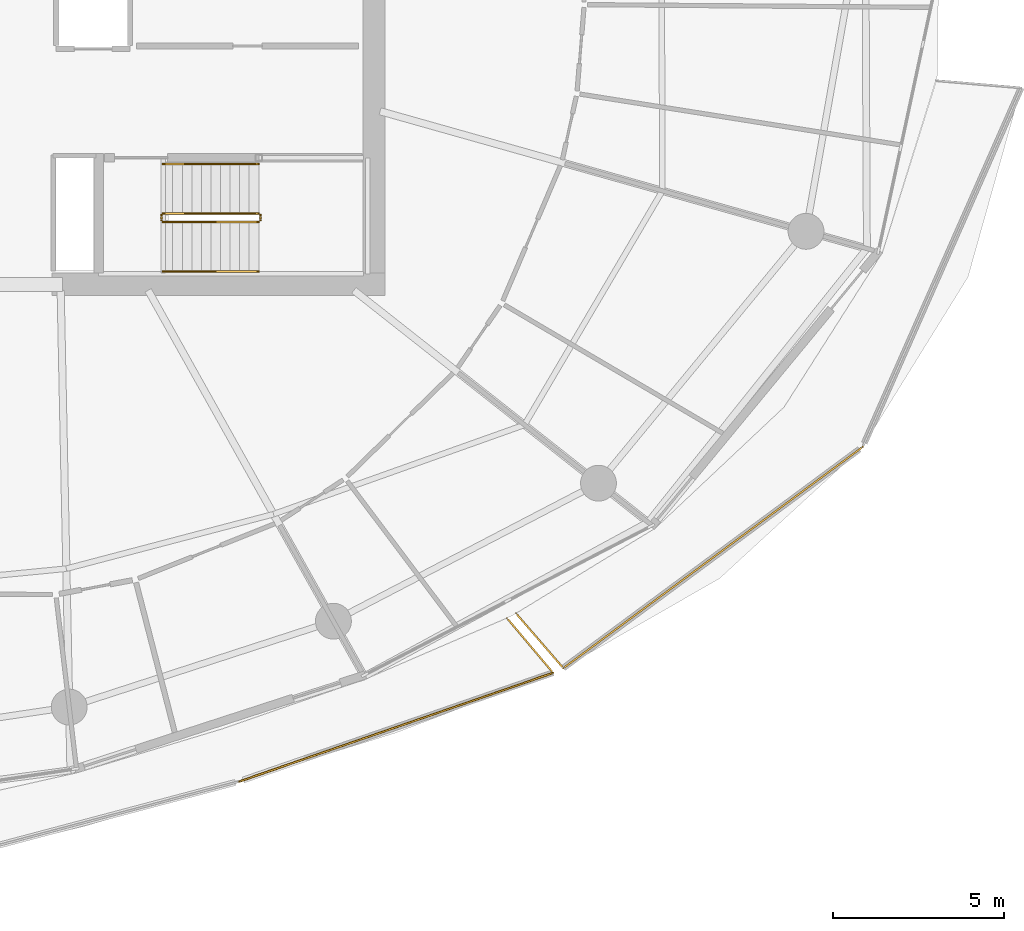
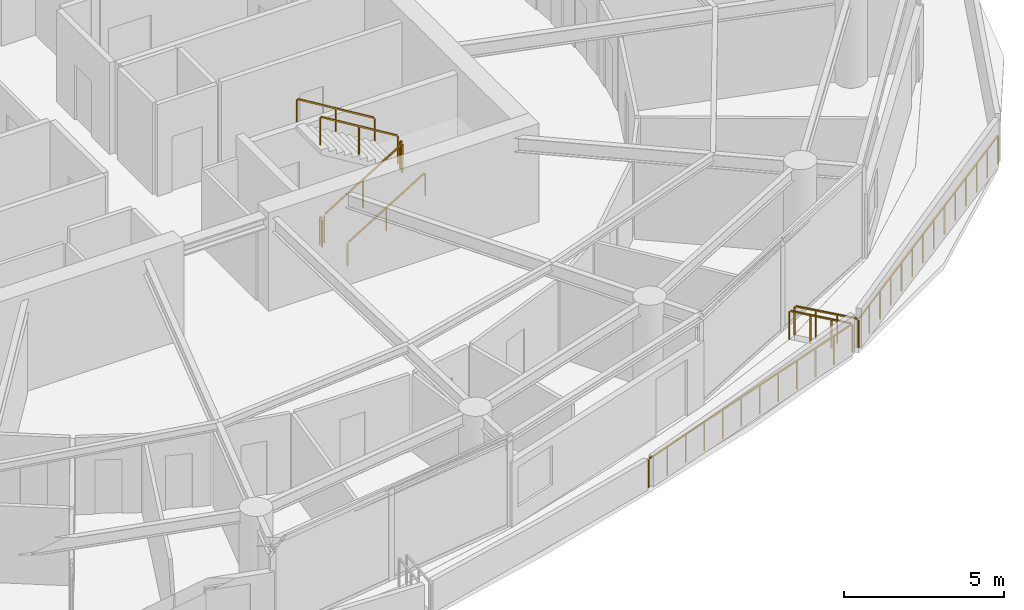
# One storey, part 19 of 21: 10 railings.
"""IFC4 building model written with IfcOpenShell, lengths in metres."""

from ifc_helpers import new_model, si_unit, direction, frame, origin, origin_2d, place, context, subcontext, project, spatial, rectangle, extrude, material, type_object, element, save


model = new_model("IFC4")

# Units and contexts
model_context = context("Model", 3, precision=1e-05, world=origin(), true_north=direction((0.0, 1.0)))
body_context = subcontext(model_context, "Body", "Model", "MODEL_VIEW")
ifc_project = project(units=[si_unit("LENGTHUNIT", "METRE"), si_unit("AREAUNIT", "SQUARE_METRE"), si_unit("VOLUMEUNIT", "CUBIC_METRE"), si_unit("PLANEANGLEUNIT", "RADIAN"), si_unit("MASSUNIT", "GRAM", prefix="KILO")], contexts=[model_context])

# Site, building, storey
site_placement = place(None, origin())
site = spatial("IfcSite", under=ifc_project, at=site_placement, CompositionType="ELEMENT")
building_placement = place(site_placement, origin())
building = spatial("IfcBuilding", under=site, at=building_placement, Name="Kazma Halo Residences", CompositionType="ELEMENT")
storey_placement = place(building_placement, frame((0.0, 0.0, 184.050048828125)))
storey = spatial("IfcBuildingStorey", under=building, at=storey_placement, Name="L46", CompositionType="ELEMENT", Elevation=184.050048828125)

# Railings
ifc_material_1 = material(Name="Aluminium AW-6063 T6 Brushed Cap Rail", Category="aluminium")
railing_type_1 = type_object("IfcRailingType", Name="RLG-BAL-CAP-1120", PredefinedType="BALUSTRADE", material=ifc_material_1)
railing_1_placement = place(storey_placement, frame((55.43310546875, 19.123046875, 0.0)))
element("IfcRailing", 1, at=railing_1_placement, inside=storey, type_object=railing_type_1, Name="L46 SSE wave balcony guard 3", PredefinedType="BALUSTRADE", context=body_context, shape_type="SweptSolid", body=[
    extrude(rectangle(XDim=0.050048828125, YDim=0.050048828125, at=origin_2d()), frame((0.040283203125, 0.013916015625, 1.09521484375), z_axis=(0.944943650986, 0.327233091941, 0.0), x_axis=(-0.327233091941, 0.944943650986, 0.0)), (0.0, 0.0, 1.0), 9.632568359375),
    extrude(rectangle(XDim=0.0400390625, YDim=0.0400390625, at=origin_2d()), origin(), (0.0, 0.0, 1.0), 1.05810546875),
    extrude(rectangle(XDim=0.0400390625, YDim=0.0400390625, at=origin_2d()), frame((0.834716796875, 0.2890625, 0.0)), (0.0, 0.0, 1.0), 1.05810546875),
    extrude(rectangle(XDim=0.0400390625, YDim=0.0400390625, at=origin_2d()), frame((1.669677734375, 0.578125, 0.0)), (0.0, 0.0, 1.0), 1.05810546875),
    extrude(rectangle(XDim=0.0400390625, YDim=0.0400390625, at=origin_2d()), frame((2.50439453125, 0.8671875, 0.0)), (0.0, 0.0, 1.0), 1.05810546875),
    extrude(rectangle(XDim=0.0400390625, YDim=0.0400390625, at=origin_2d()), frame((3.339111328125, 1.15625, 0.0)), (0.0, 0.0, 1.0), 1.05810546875),
    extrude(rectangle(XDim=0.0400390625, YDim=0.0400390625, at=origin_2d()), frame((4.173828125, 1.4453125, 0.0)), (0.0, 0.0, 1.0), 1.05810546875),
    extrude(rectangle(XDim=0.0400390625, YDim=0.0400390625, at=origin_2d()), frame((5.0087890625, 1.734619140625, 0.0)), (0.0, 0.0, 1.0), 1.05810546875),
    extrude(rectangle(XDim=0.0400390625, YDim=0.0400390625, at=origin_2d()), frame((5.843505859375, 2.023681640625, 0.0)), (0.0, 0.0, 1.0), 1.05810546875),
    extrude(rectangle(XDim=0.0400390625, YDim=0.0400390625, at=origin_2d()), frame((6.67822265625, 2.312744140625, 0.0)), (0.0, 0.0, 1.0), 1.05810546875),
    extrude(rectangle(XDim=0.0400390625, YDim=0.0400390625, at=origin_2d()), frame((7.512939453125, 2.601806640625, 0.0)), (0.0, 0.0, 1.0), 1.05810546875),
    extrude(rectangle(XDim=0.0400390625, YDim=0.0400390625, at=origin_2d()), frame((8.347900390625, 2.890869140625, 0.0)), (0.0, 0.0, 1.0), 1.05810546875),
    extrude(rectangle(XDim=0.0400390625, YDim=0.0400390625, at=origin_2d()), frame((9.1826171875, 3.179931640625, 0.0)), (0.0, 0.0, 1.0), 1.05810546875),
])
railing_2_placement = place(storey_placement, frame((64.61572265625, 22.302978515625, 0.0)))
element("IfcRailing", 2, at=railing_2_placement, inside=storey, type_object=railing_type_1, Name="L46 SSE wave balcony guard 4", PredefinedType="BALUSTRADE", context=body_context, shape_type="SweptSolid", body=[
    extrude(rectangle(XDim=0.050048828125, YDim=0.050048828125, at=origin_2d()), frame((-0.02734375, 0.032470703125, 1.09521484375), z_axis=(-0.644734794394, 0.764406334941, 0.0), x_axis=(-0.764406334941, -0.644734794394, 0.0)), (0.0, 0.0, 1.0), 2.010009765625),
    extrude(rectangle(XDim=0.0400390625, YDim=0.0400390625, at=origin_2d()), origin(), (0.0, 0.0, 1.0), 1.05810546875),
    extrude(rectangle(XDim=0.0400390625, YDim=0.0400390625, at=origin_2d()), frame((-0.4501953125, 0.533935546875, 0.0)), (0.0, 0.0, 1.0), 1.05810546875),
    extrude(rectangle(XDim=0.0400390625, YDim=0.0400390625, at=origin_2d()), frame((-0.900634765625, 1.067626953125, 0.0)), (0.0, 0.0, 1.0), 1.05810546875),
    extrude(rectangle(XDim=0.0400390625, YDim=0.0400390625, at=origin_2d()), frame((-1.350830078125, 1.6015625, 0.0)), (0.0, 0.0, 1.0), 1.05810546875),
])
railing_3_placement = place(storey_placement, frame((63.528564453125, 24.041748046875, 0.0)))
element("IfcRailing", 3, at=railing_3_placement, inside=storey, type_object=railing_type_1, Name="L46 SE wave balcony guard 1", PredefinedType="BALUSTRADE", context=body_context, shape_type="SweptSolid", body=[
    extrude(rectangle(XDim=0.050048828125, YDim=0.050048828125, at=origin_2d()), frame((0.02783203125, -0.0322265625, 1.09521484375), z_axis=(0.654087786706, -0.756418645514, 0.0), x_axis=(0.756418645514, 0.654087786706, 0.0)), (0.0, 0.0, 1.0), 2.033447265625),
    extrude(rectangle(XDim=0.0400390625, YDim=0.0400390625, at=origin_2d()), origin(), (0.0, 0.0, 1.0), 1.05810546875),
    extrude(rectangle(XDim=0.0400390625, YDim=0.0400390625, at=origin_2d()), frame((0.4619140625, -0.5341796875, 0.0)), (0.0, 0.0, 1.0), 1.05810546875),
    extrude(rectangle(XDim=0.0400390625, YDim=0.0400390625, at=origin_2d()), frame((0.923828125, -1.068359375, 0.0)), (0.0, 0.0, 1.0), 1.05810546875),
    extrude(rectangle(XDim=0.0400390625, YDim=0.0400390625, at=origin_2d()), frame((1.3857421875, -1.6025390625, 0.0)), (0.0, 0.0, 1.0), 1.05810546875),
])
railing_4_placement = place(storey_placement, frame((64.914306640625, 22.439208984375, 0.0)))
element("IfcRailing", 4, at=railing_4_placement, inside=storey, type_object=railing_type_1, Name="L46 SE wave balcony guard 2", PredefinedType="BALUSTRADE", context=body_context, shape_type="SweptSolid", body=[
    extrude(rectangle(XDim=0.050048828125, YDim=0.050048828125, at=origin_2d()), frame((0.0341796875, 0.025390625, 1.09521484375), z_axis=(0.804264589015, 0.594271378123, 0.0), x_axis=(-0.594271378123, 0.804264589015, 0.0)), (0.0, 0.0, 1.0), 10.813232421875),
    extrude(rectangle(XDim=0.0400390625, YDim=0.0400390625, at=origin_2d()), origin(), (0.0, 0.0, 1.0), 1.05810546875),
    extrude(rectangle(XDim=0.0400390625, YDim=0.0400390625, at=origin_2d()), frame((0.67431640625, 0.498291015625, 0.0)), (0.0, 0.0, 1.0), 1.05810546875),
    extrude(rectangle(XDim=0.0400390625, YDim=0.0400390625, at=origin_2d()), frame((1.348388671875, 0.996337890625, 0.0)), (0.0, 0.0, 1.0), 1.05810546875),
    extrude(rectangle(XDim=0.0400390625, YDim=0.0400390625, at=origin_2d()), frame((2.022705078125, 1.49462890625, 0.0)), (0.0, 0.0, 1.0), 1.05810546875),
    extrude(rectangle(XDim=0.0400390625, YDim=0.0400390625, at=origin_2d()), frame((2.697021484375, 1.99267578125, 0.0)), (0.0, 0.0, 1.0), 1.05810546875),
    extrude(rectangle(XDim=0.0400390625, YDim=0.0400390625, at=origin_2d()), frame((3.37109375, 2.490966796875, 0.0)), (0.0, 0.0, 1.0), 1.05810546875),
    extrude(rectangle(XDim=0.0400390625, YDim=0.0400390625, at=origin_2d()), frame((4.04541015625, 2.9892578125, 0.0)), (0.0, 0.0, 1.0), 1.05810546875),
    extrude(rectangle(XDim=0.0400390625, YDim=0.0400390625, at=origin_2d()), frame((4.7197265625, 3.4873046875, 0.0)), (0.0, 0.0, 1.0), 1.05810546875),
    extrude(rectangle(XDim=0.0400390625, YDim=0.0400390625, at=origin_2d()), frame((5.39404296875, 3.985595703125, 0.0)), (0.0, 0.0, 1.0), 1.05810546875),
    extrude(rectangle(XDim=0.0400390625, YDim=0.0400390625, at=origin_2d()), frame((6.068115234375, 4.48388671875, 0.0)), (0.0, 0.0, 1.0), 1.05810546875),
    extrude(rectangle(XDim=0.0400390625, YDim=0.0400390625, at=origin_2d()), frame((6.742431640625, 4.98193359375, 0.0)), (0.0, 0.0, 1.0), 1.05810546875),
    extrude(rectangle(XDim=0.0400390625, YDim=0.0400390625, at=origin_2d()), frame((7.416748046875, 5.480224609375, 0.0)), (0.0, 0.0, 1.0), 1.05810546875),
    extrude(rectangle(XDim=0.0400390625, YDim=0.0400390625, at=origin_2d()), frame((8.0908203125, 5.978271484375, 0.0)), (0.0, 0.0, 1.0), 1.05810546875),
    extrude(rectangle(XDim=0.0400390625, YDim=0.0400390625, at=origin_2d()), frame((8.76513671875, 6.4765625, 0.0)), (0.0, 0.0, 1.0), 1.05810546875),
])
ifc_material_2 = material(Name="Painted Steel S355", Category="steel")
railing_type_2 = type_object("IfcRailingType", Name="RLG-STAIR-GRD-1100", PredefinedType="GUARDRAIL", material=ifc_material_2)
railing_5_placement = place(storey_placement, frame((53.199951171875, 35.5, 0.17041015625)))
element("IfcRailing", 5, at=railing_5_placement, inside=storey, type_object=railing_type_2, Name="L46 ST-03 stair guard 1", PredefinedType="GUARDRAIL", context=body_context, shape_type="SweptSolid", body=[
    extrude(rectangle(XDim=0.050048828125, YDim=0.050048828125, at=origin_2d()), frame((0.036376953125, 0.0, 1.09716796875), z_axis=(0.854169791009, 0.0, 0.51999420009), x_axis=(0.0, 1.0, 0.0)), (0.0, 0.0, 1.0), 3.193115234375),
    extrude(rectangle(XDim=0.0400390625, YDim=0.0400390625, at=origin_2d()), origin(), (0.0, 0.0, 1.0), 1.0380859375),
    extrude(rectangle(XDim=0.0400390625, YDim=0.0400390625, at=origin_2d()), frame((1.39990234375, 0.0, 0.852294921875)), (0.0, 0.0, 1.0), 1.0380859375),
    extrude(rectangle(XDim=0.0400390625, YDim=0.0400390625, at=origin_2d()), frame((2.800048828125, 0.0, 1.70458984375)), (0.0, 0.0, 1.0), 1.0380859375),
])
railing_6_placement = place(storey_placement, frame((56.050048828125, 35.550048828125, 1.875)))
element("IfcRailing", 6, at=railing_6_placement, inside=storey, type_object=railing_type_2, Name="L46 ST-03 stair guard 2", PredefinedType="GUARDRAIL", context=body_context, shape_type="SweptSolid", body=[
    extrude(rectangle(XDim=0.050048828125, YDim=0.050048828125, at=origin_2d()), frame((0.0, 0.04248046875, 1.0751953125), z_axis=(0.0, 1.0, 0.0), x_axis=(-1.0, 0.0, 0.0)), (0.0, 0.0, 1.0), 0.06494140625),
    extrude(rectangle(XDim=0.0400390625, YDim=0.0400390625, at=origin_2d()), origin(), (0.0, 0.0, 1.0), 1.0380859375),
    extrude(rectangle(XDim=0.0400390625, YDim=0.0400390625, at=origin_2d()), frame((0.0, 0.14990234375, 0.0)), (0.0, 0.0, 1.0), 1.0380859375),
])
railing_7_placement = place(storey_placement, frame((56.0, 35.75, 2.04541015625)))
element("IfcRailing", 7, at=railing_7_placement, inside=storey, type_object=railing_type_2, Name="L46 ST-03 stair guard 3", PredefinedType="GUARDRAIL", context=body_context, shape_type="SweptSolid", body=[
    extrude(rectangle(XDim=0.050048828125, YDim=0.050048828125, at=origin_2d()), frame((-0.036376953125, 0.0, 1.09716796875), z_axis=(-0.854169791009, 0.0, 0.51999420009), x_axis=(0.0, -1.0, 0.0)), (0.0, 0.0, 1.0), 3.193115234375),
    extrude(rectangle(XDim=0.0400390625, YDim=0.0400390625, at=origin_2d()), origin(), (0.0, 0.0, 1.0), 1.0380859375),
    extrude(rectangle(XDim=0.0400390625, YDim=0.0400390625, at=origin_2d()), frame((-1.39990234375, 0.0, 0.852294921875)), (0.0, 0.0, 1.0), 1.0380859375),
    extrude(rectangle(XDim=0.0400390625, YDim=0.0400390625, at=origin_2d()), frame((-2.800048828125, 0.0, 1.70458984375)), (0.0, 0.0, 1.0), 1.0380859375),
])
railing_8_placement = place(storey_placement, frame((53.14990234375, 35.550048828125, 0.0)))
element("IfcRailing", 8, at=railing_8_placement, inside=storey, type_object=railing_type_2, Name="L46 ST-03 stair guard 4", PredefinedType="GUARDRAIL", context=body_context, shape_type="SweptSolid", body=[
    extrude(rectangle(XDim=0.050048828125, YDim=0.050048828125, at=origin_2d()), frame((0.0, 0.04248046875, 1.0751953125), z_axis=(0.0, 1.0, 0.0), x_axis=(-1.0, 0.0, 0.0)), (0.0, 0.0, 1.0), 0.06494140625),
    extrude(rectangle(XDim=0.0400390625, YDim=0.0400390625, at=origin_2d()), origin(), (0.0, 0.0, 1.0), 1.0380859375),
    extrude(rectangle(XDim=0.0400390625, YDim=0.0400390625, at=origin_2d()), frame((0.0, 0.14990234375, 0.0)), (0.0, 0.0, 1.0), 1.0380859375),
])
ifc_material_3 = material(Name="Brushed Stainless Steel", Category="steel")
railing_type_3 = type_object("IfcRailingType", Name="RLG-STAIR-HND-900", PredefinedType="HANDRAIL", material=ifc_material_3)
railing_9_placement = place(storey_placement, frame((53.199951171875, 34.050048828125, 0.17041015625)))
element("IfcRailing", 9, at=railing_9_placement, inside=storey, type_object=railing_type_3, Name="L46 ST-03 stair handrail 1", PredefinedType="HANDRAIL", context=body_context, shape_type="SweptSolid", body=[
    extrude(rectangle(XDim=0.050048828125, YDim=0.050048828125, at=origin_2d()), frame((0.036376953125, 0.0, 0.89697265625), z_axis=(0.854169791009, 0.0, 0.51999420009), x_axis=(0.0, 1.0, 0.0)), (0.0, 0.0, 1.0), 3.193115234375),
    extrude(rectangle(XDim=0.0400390625, YDim=0.0400390625, at=origin_2d()), origin(), (0.0, 0.0, 1.0), 0.837890625),
    extrude(rectangle(XDim=0.0400390625, YDim=0.0400390625, at=origin_2d()), frame((1.39990234375, 0.0, 0.852294921875)), (0.0, 0.0, 1.0), 0.837890625),
    extrude(rectangle(XDim=0.0400390625, YDim=0.0400390625, at=origin_2d()), frame((2.800048828125, 0.0, 1.70458984375)), (0.0, 0.0, 1.0), 0.837890625),
])
railing_10_placement = place(storey_placement, frame((56.0, 37.199951171875, 2.04541015625)))
element("IfcRailing", 10, at=railing_10_placement, inside=storey, type_object=railing_type_3, Name="L46 ST-03 stair handrail 2", PredefinedType="HANDRAIL", context=body_context, shape_type="SweptSolid", body=[
    extrude(rectangle(XDim=0.050048828125, YDim=0.050048828125, at=origin_2d()), frame((-0.036376953125, 0.0, 0.89697265625), z_axis=(-0.854169791009, 0.0, 0.51999420009), x_axis=(0.0, -1.0, 0.0)), (0.0, 0.0, 1.0), 3.193115234375),
    extrude(rectangle(XDim=0.0400390625, YDim=0.0400390625, at=origin_2d()), origin(), (0.0, 0.0, 1.0), 0.837890625),
    extrude(rectangle(XDim=0.0400390625, YDim=0.0400390625, at=origin_2d()), frame((-1.39990234375, 0.0, 0.852294921875)), (0.0, 0.0, 1.0), 0.837890625),
    extrude(rectangle(XDim=0.0400390625, YDim=0.0400390625, at=origin_2d()), frame((-2.800048828125, 0.0, 1.70458984375)), (0.0, 0.0, 1.0), 0.837890625),
])

save(model, "model.ifc")
